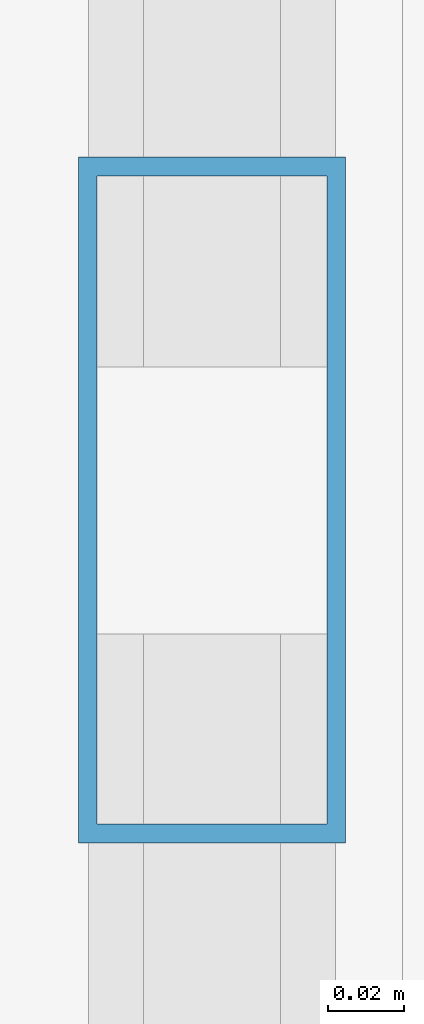
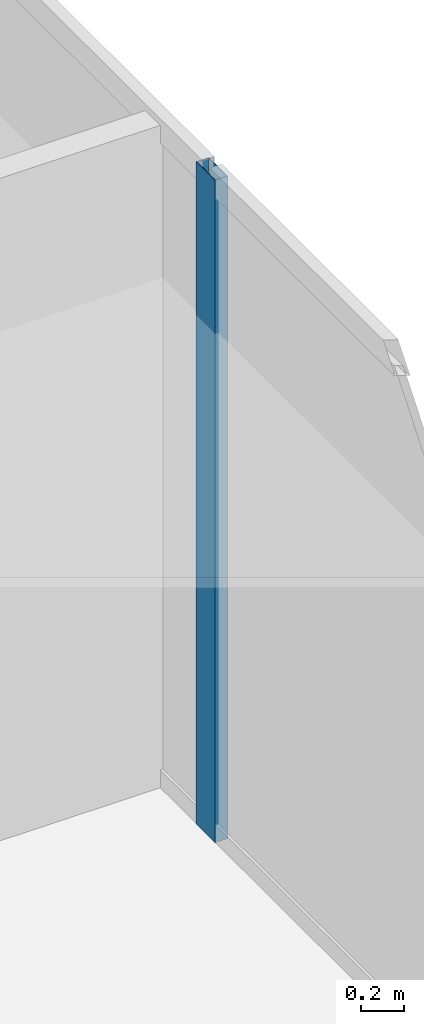
# One storey, part 24 of 35: 1 member, 1 element without a shape of its own.
"""IFC4 building model written with IfcOpenShell, lengths in metres."""

from ifc_helpers import new_model, si_unit, direction, frame, origin, origin_2d, place, context, subcontext, project, spatial, hollow_rectangle, extrude, source, transform, mapped, material, layer, layer_set, material_profile, profile_set, type_object, type_shapes, element, aggregate, save


model = new_model("IFC4")

# Units and contexts
model_context = context("Model", 3, precision=1e-05, world=origin(), true_north=direction((0.0, 1.0)))
body_context = subcontext(model_context, "Body", "Model", "MODEL_VIEW")
ifc_project = project(units=[si_unit("LENGTHUNIT", "METRE"), si_unit("AREAUNIT", "SQUARE_METRE"), si_unit("VOLUMEUNIT", "CUBIC_METRE"), si_unit("PLANEANGLEUNIT", "RADIAN"), si_unit("MASSUNIT", "GRAM", prefix="KILO")], contexts=[model_context])

# Site, building, storey
site_placement = place(None, origin())
site = spatial("IfcSite", under=ifc_project, at=site_placement, CompositionType="ELEMENT")
building_placement = place(site_placement, origin())
building = spatial("IfcBuilding", under=site, at=building_placement, Name="Haelvirn Gate Laboratories", CompositionType="ELEMENT")
storey_placement = place(building_placement, frame((0.0, 0.0, 201.39990234375)))
storey = spatial("IfcBuildingStorey", under=building, at=storey_placement, Name="L48", CompositionType="ELEMENT", Elevation=201.39990234375)

# Curtain wall, member
ifc_material_1 = material(Name="Anodised bronze unitised aluminium & triple low-E glass", Category="aluminium")
ifc_layer = layer(ifc_material_1, 0.176025390625, Name="CW-SYS-4")
ifc_layer_set = layer_set([ifc_layer], Name="Anodised bronze unitised aluminium & triple low-E glass")
curtain_wall_type = type_object("IfcCurtainWallType", Name="CW-SYS-4", PredefinedType="NOTDEFINED", material=ifc_layer_set)
curtain_wall_placement = place(storey_placement, origin())
curtain_wall = element("IfcCurtainWall", 1, at=curtain_wall_placement, inside=storey, type_object=curtain_wall_type, Name="L48 Unitised Curtain Wall CW-L48-P0-E07", PredefinedType="NOTDEFINED")
ifc_material_2 = material(Name="Extruded aluminium 6063-T6 (anodised bronze)", Category="aluminium")
ifc_material_profile = material_profile(ifc_material_2, hollow_rectangle(XDim=0.070068359375, YDim=0.179931640625, WallThickness=0.0048828125, at=origin_2d()), Name="CWM-180x70x5")
ifc_profile_set = profile_set([ifc_material_profile], Name="Extruded aluminium 6063-T6 (anodised bronze)")
member_type = type_object("IfcMemberType", Name="CWM-T180", PredefinedType="MULLION", material=ifc_profile_set)
shared_shape = source(origin(), body_context, "Body", "SweptSolid", [
    extrude(hollow_rectangle(XDim=0.070068359375, YDim=0.179931640625, WallThickness=0.0048828125, at=origin_2d()), origin(), (0.0, 0.0, 1.0), 3.800048828125),
])
type_shapes(member_type, [shared_shape])
member_placement = place(storey_placement, frame((70.699951171875, 24.300048828125, 0.0), z_axis=(0.0, 0.0, 1.0), x_axis=(-1.0, 0.0, 0.0)))
member = element("IfcMember", 2, at=member_placement, type_object=member_type, Name="CW4 mullion 2", PredefinedType="MULLION", context=body_context, shape_type="MappedRepresentation", body=[
    mapped(shared_shape, transform((0.0, 0.0, 0.0), scale=1.0)),
])
aggregate(curtain_wall, [member])

save(model, "model.ifc")
